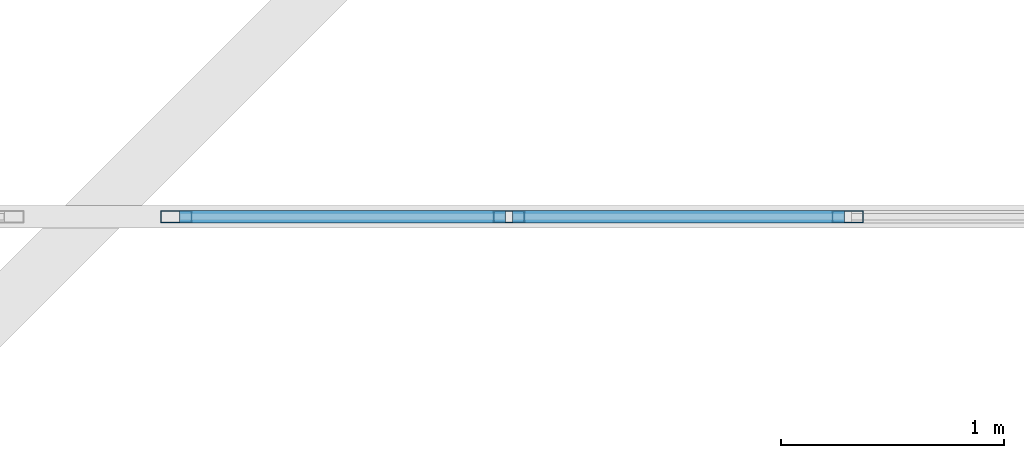
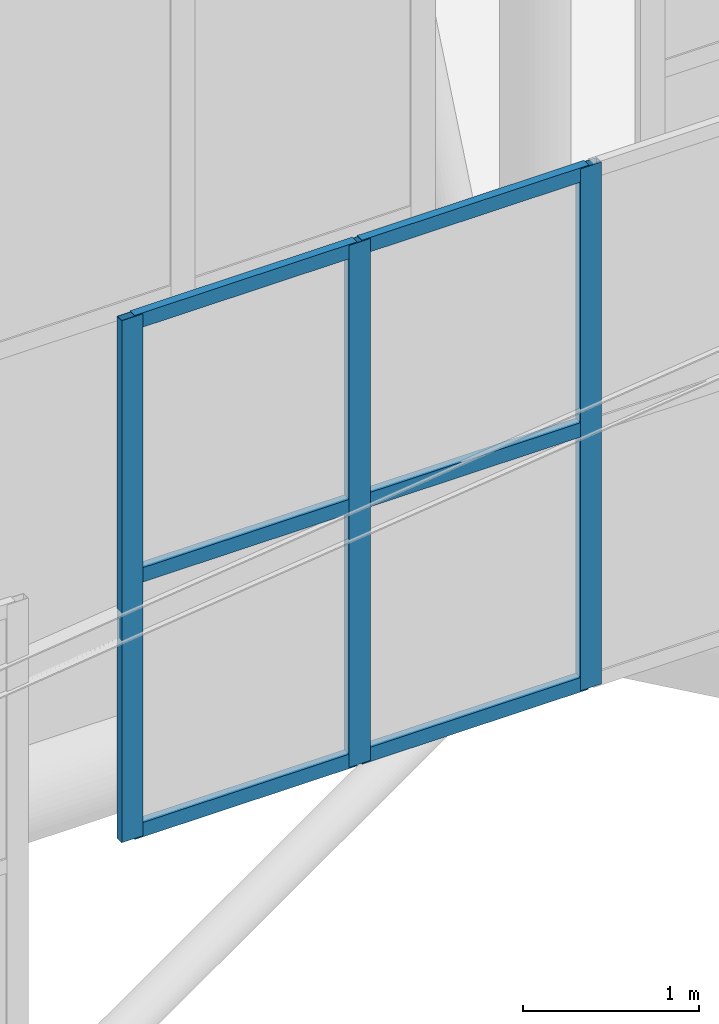
# One storey, part 239 of 397: 9 members, 1 element without a shape of its own.
"""IFC4 building model written with IfcOpenShell, lengths in metres."""

from ifc_helpers import new_model, si_unit, direction, frame, origin, origin_2d, place, context, subcontext, project, spatial, hollow_rectangle, extrude, material, material_profile, profile_set, type_object, element, aggregate, save


model = new_model("IFC4")

# Units and contexts
model_context = context("Model", 3, precision=1e-05, world=origin(), true_north=direction((0.0, 1.0)))
body_context = subcontext(model_context, "Body", "Model", "MODEL_VIEW")
ifc_project = project(units=[si_unit("LENGTHUNIT", "METRE"), si_unit("AREAUNIT", "SQUARE_METRE"), si_unit("VOLUMEUNIT", "CUBIC_METRE"), si_unit("PLANEANGLEUNIT", "RADIAN"), si_unit("MASSUNIT", "GRAM", prefix="KILO")], contexts=[model_context])

# Site, building, storey
site_placement = place(None, origin())
site = spatial("IfcSite", under=ifc_project, at=site_placement, CompositionType="ELEMENT")
building_placement = place(site_placement, origin())
building = spatial("IfcBuilding", under=site, at=building_placement, Name="Qandorah Velis Arena", CompositionType="ELEMENT")
storey_placement = place(building_placement, frame((0.0, 0.0, 27.5)))
storey = spatial("IfcBuildingStorey", under=building, at=storey_placement, Name="RF", CompositionType="ELEMENT", Elevation=27.5)

# Curtain wall, members
ifc_material_1 = material(Name="Solar-control low-E double glazing", Category="glass")
curtain_wall_type = type_object("IfcCurtainWallType", Name="ARC-CW-SYS02", PredefinedType="USERDEFINED", material=ifc_material_1)
curtain_wall_placement = place(storey_placement, origin())
curtain_wall = element("IfcCurtainWall", 1, at=curtain_wall_placement, inside=storey, type_object=curtain_wall_type, Name="Unitised curtain wall MON-4-2", ObjectType="UNITISED CURTAIN WALL", PredefinedType="USERDEFINED")
ifc_material_2 = material(Name="Champagne-bronze anodized aluminium 6063-T6", Category="aluminium")
ifc_material_profile_1 = material_profile(ifc_material_2, hollow_rectangle(XDim=0.054931640625, YDim=0.139892578125, WallThickness=0.0029296875, at=origin_2d()), Name="ALU MULLION 55x140")
ifc_profile_set_1 = profile_set([ifc_material_profile_1], Name="Champagne-bronze anodized aluminium 6063-T6")
member_type_1 = type_object("IfcMemberType", Name="ARC-CWM-140", PredefinedType="MULLION", material=ifc_profile_set_1)
member_1_placement = place(storey_placement, frame((36.37744140625, 108.0, 5.337646484375), z_axis=(0.0, 0.0, 1.0), x_axis=(0.0, 1.0, 0.0)))
member_1 = element("IfcMember", 2, at=member_1_placement, type_object=member_type_1, Name="CW02 mullion 1", PredefinedType="MULLION", context=body_context, shape_type="SweptSolid", body=[
    extrude(hollow_rectangle(XDim=0.054931640625, YDim=0.139892578125, WallThickness=0.0029296875, at=origin_2d()), origin(), (0.0, 0.0, 1.0), 3.630126953125),
])
member_2_placement = place(storey_placement, frame((37.872314453125, 108.0, 5.337646484375), z_axis=(0.0, 0.0, 1.0), x_axis=(0.0, 1.0, 0.0)))
member_2 = element("IfcMember", 3, at=member_2_placement, type_object=member_type_1, Name="CW02 mullion 2", PredefinedType="MULLION", context=body_context, shape_type="SweptSolid", body=[
    extrude(hollow_rectangle(XDim=0.054931640625, YDim=0.139892578125, WallThickness=0.0029296875, at=origin_2d()), origin(), (0.0, 0.0, 1.0), 3.630126953125),
])
member_3_placement = place(storey_placement, frame((39.39453125, 108.0, 5.337646484375), z_axis=(0.0, 0.0, 1.0), x_axis=(0.0, 1.0, 0.0)))
member_3 = element("IfcMember", 4, at=member_3_placement, type_object=member_type_1, Name="CW02 mullion 3", PredefinedType="MULLION", context=body_context, shape_type="SweptSolid", body=[
    extrude(hollow_rectangle(XDim=0.054931640625, YDim=0.139892578125, WallThickness=0.0029296875, at=origin_2d()), origin(), (0.0, 0.0, 1.0), 3.630126953125),
])
ifc_material_profile_2 = material_profile(ifc_material_2, hollow_rectangle(XDim=0.054931640625, YDim=0.10009765625, WallThickness=0.0029296875, at=origin_2d()), Name="ALU TRANSOM 55x100")
ifc_profile_set_2 = profile_set([ifc_material_profile_2], Name="Champagne-bronze anodized aluminium 6063-T6")
member_type_2 = type_object("IfcMemberType", Name="ARC-CWT-100", PredefinedType="USERDEFINED", material=ifc_profile_set_2)
member_4_placement = place(storey_placement, frame((36.39306640625, 108.0, 5.380126953125), z_axis=(1.0, 0.0, 0.0), x_axis=(0.0, 1.0, 0.0)))
member_4 = element("IfcMember", 5, at=member_4_placement, type_object=member_type_2, Name="CW02 transom 1.1", ObjectType="TRANSOM", PredefinedType="USERDEFINED", context=body_context, shape_type="SweptSolid", body=[
    extrude(hollow_rectangle(XDim=0.054931640625, YDim=0.10009765625, WallThickness=0.0029296875, at=origin_2d()), origin(), (0.0, 0.0, 1.0), 1.463623046875),
])
member_5_placement = place(storey_placement, frame((36.39306640625, 108.0, 7.152587890625), z_axis=(1.0, 0.0, 0.0), x_axis=(0.0, 1.0, 0.0)))
member_5 = element("IfcMember", 6, at=member_5_placement, type_object=member_type_2, Name="CW02 transom 1.2", ObjectType="TRANSOM", PredefinedType="USERDEFINED", context=body_context, shape_type="SweptSolid", body=[
    extrude(hollow_rectangle(XDim=0.054931640625, YDim=0.10009765625, WallThickness=0.0029296875, at=origin_2d()), origin(), (0.0, 0.0, 1.0), 1.463623046875),
])
member_6_placement = place(storey_placement, frame((36.39306640625, 108.0, 8.92529296875), z_axis=(1.0, 0.0, 0.0), x_axis=(0.0, 1.0, 0.0)))
member_6 = element("IfcMember", 7, at=member_6_placement, type_object=member_type_2, Name="CW02 transom 1.3", ObjectType="TRANSOM", PredefinedType="USERDEFINED", context=body_context, shape_type="SweptSolid", body=[
    extrude(hollow_rectangle(XDim=0.054931640625, YDim=0.10009765625, WallThickness=0.0029296875, at=origin_2d()), origin(), (0.0, 0.0, 1.0), 1.463623046875),
])
member_7_placement = place(storey_placement, frame((37.8876953125, 108.0, 5.380126953125), z_axis=(1.0, 0.0, 0.0), x_axis=(0.0, 1.0, 0.0)))
member_7 = element("IfcMember", 8, at=member_7_placement, type_object=member_type_2, Name="CW02 transom 2.1", ObjectType="TRANSOM", PredefinedType="USERDEFINED", context=body_context, shape_type="SweptSolid", body=[
    extrude(hollow_rectangle(XDim=0.054931640625, YDim=0.10009765625, WallThickness=0.0029296875, at=origin_2d()), origin(), (0.0, 0.0, 1.0), 1.4912109375),
])
member_8_placement = place(storey_placement, frame((37.8876953125, 108.0, 7.152587890625), z_axis=(1.0, 0.0, 0.0), x_axis=(0.0, 1.0, 0.0)))
member_8 = element("IfcMember", 9, at=member_8_placement, type_object=member_type_2, Name="CW02 transom 2.2", ObjectType="TRANSOM", PredefinedType="USERDEFINED", context=body_context, shape_type="SweptSolid", body=[
    extrude(hollow_rectangle(XDim=0.054931640625, YDim=0.10009765625, WallThickness=0.0029296875, at=origin_2d()), origin(), (0.0, 0.0, 1.0), 1.4912109375),
])
member_9_placement = place(storey_placement, frame((37.8876953125, 108.0, 8.92529296875), z_axis=(1.0, 0.0, 0.0), x_axis=(0.0, 1.0, 0.0)))
member_9 = element("IfcMember", 10, at=member_9_placement, type_object=member_type_2, Name="CW02 transom 2.3", ObjectType="TRANSOM", PredefinedType="USERDEFINED", context=body_context, shape_type="SweptSolid", body=[
    extrude(hollow_rectangle(XDim=0.054931640625, YDim=0.10009765625, WallThickness=0.0029296875, at=origin_2d()), origin(), (0.0, 0.0, 1.0), 1.4912109375),
])
aggregate(curtain_wall, [member_1, member_2, member_3, member_4, member_5, member_6, member_7, member_8, member_9])

save(model, "model.ifc")
